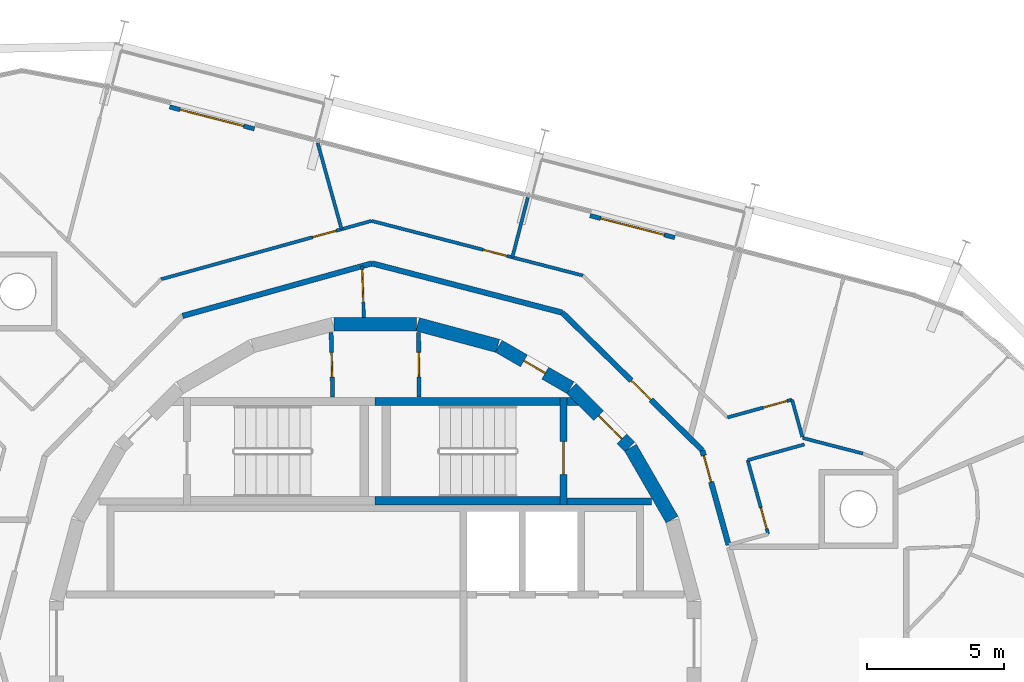
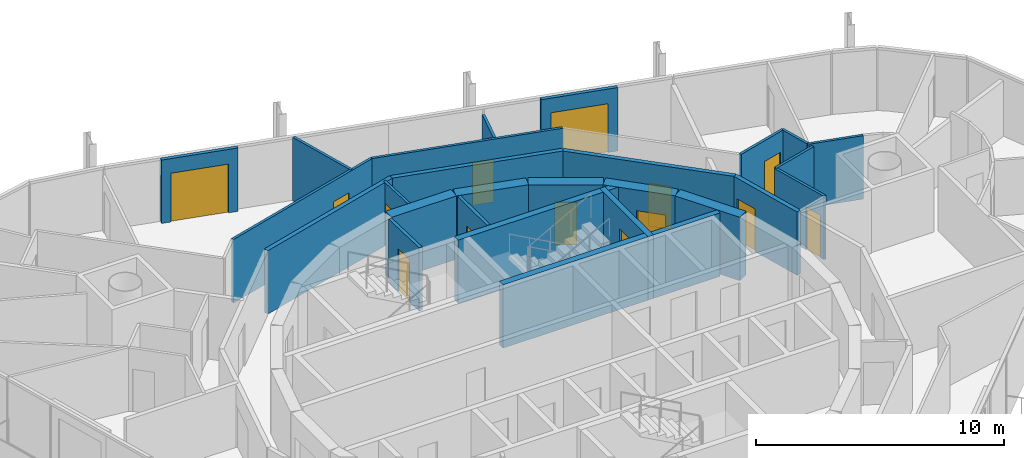
# One storey, part 13 of 15: 28 walls, 14 doors, 14 openings.
"""IFC4 building model written with IfcOpenShell, lengths in metres."""

from ifc_helpers import new_model, si_unit, direction, frame, frame_2d, origin, place, context, subcontext, project, spatial, polyline, rectangle, outline, extrude, material, layer, layer_set, type_object, element, fill, save


model = new_model("IFC4")

# Units and contexts
model_context = context("Model", 3, precision=1e-05, world=origin(), true_north=direction((0.0, 1.0)))
body_context = subcontext(model_context, "Body", "Model", "MODEL_VIEW")
ifc_project = project(units=[si_unit("LENGTHUNIT", "METRE"), si_unit("AREAUNIT", "SQUARE_METRE"), si_unit("VOLUMEUNIT", "CUBIC_METRE"), si_unit("PLANEANGLEUNIT", "RADIAN"), si_unit("MASSUNIT", "GRAM", prefix="KILO")], contexts=[model_context])

# Site, building, storey
site_placement = place(None, origin())
site = spatial("IfcSite", under=ifc_project, at=site_placement, CompositionType="ELEMENT")
building_placement = place(site_placement, origin())
building = spatial("IfcBuilding", under=site, at=building_placement, Name="Spindle Arch Residences", CompositionType="ELEMENT")
storey_placement = place(building_placement, frame((0.0, 0.0, 315.699951171875)))
storey = spatial("IfcBuildingStorey", under=building, at=storey_placement, Name="L81", CompositionType="ELEMENT", Elevation=315.699951171875)

# Wall
ifc_material_1 = material(Name="Concrete C50/60", Category="concrete")
ifc_layer_1 = layer(ifc_material_1, 0.5)
ifc_layer_set_1 = layer_set([ifc_layer_1], Name="Core outline wall 500")
wall_type_1 = type_object("IfcWallType", Name="Core outline wall 500", PredefinedType="SHEAR", material=ifc_layer_set_1)
wall_1_placement = place(storey_placement, frame((10.84521484375, 4.510498046875, 0.0), z_axis=(0.0, 0.0, 1.0), x_axis=(-0.500087131594, 0.865975092491, 0.0)))
element("IfcWall", 1, at=wall_1_placement, inside=storey, type_object=wall_type_1, Name="Core outline wall 8", PredefinedType="SHEAR", context=body_context, shape_type="SweptSolid", body=[
    extrude(rectangle(XDim=3.03271484375, YDim=0.5, at=frame_2d((1.516357421875, 0.0))), origin(), (0.0, 0.0, 1.0), 3.1201171875),
])

# Wall, opening, door
wall_2_placement = place(storey_placement, frame((9.30810546875, 7.163818359375, 0.0), z_axis=(0.0, 0.0, 1.0), x_axis=(-0.707106781187, 0.707106781187, 0.0)))
wall_2 = element("IfcWall", 2, at=wall_2_placement, inside=storey, type_object=wall_type_1, Name="Core outline wall 9", PredefinedType="SHEAR", context=body_context, shape_type="SweptSolid", body=[
    extrude(rectangle(XDim=3.032470703125, YDim=0.5, at=frame_2d((1.51611328125, 0.0))), origin(), (0.0, 0.0, 1.0), 3.1201171875),
])
opening_1_placement = place(wall_2_placement, frame((0.416259765625, 0.0, 0.0)))
opening_1 = element("IfcOpeningElement", 3, at=opening_1_placement, cuts=wall_2, Name="Opening R8B1-AD01", PredefinedType="OPENING", context=body_context, shape_type="SweptSolid", body=[
    extrude(rectangle(XDim=1.199951171875, YDim=2.10009765625, at=frame_2d((0.60009765625, 1.050048828125))), frame((0.0, 0.260009765625, 0.0), z_axis=(0.0, -1.0, 0.0), x_axis=(1.0, 0.0, 0.0)), (0.0, 0.0, 1.0), 0.52001953125),
])
ifc_material_2 = material(Name="Steel, fire-resisting door", Category="steel")
door_type_1 = type_object("IfcDoorType", Name="Stair airlock door 1200x2100", OperationType="SINGLE_SWING_LEFT", PredefinedType="DOOR", material=ifc_material_2)
door_1_placement = place(opening_1_placement, origin())
door_1 = element("IfcDoor", 4, at=door_1_placement, inside=storey, type_object=door_type_1, Name="Stair airlock door R8B1-AD01", OperationType="SINGLE_SWING_RIGHT", OverallHeight=2.10009765625, OverallWidth=1.199951171875, PredefinedType="DOOR", context=body_context, shape_type="SweptSolid", body=[
    extrude(rectangle(XDim=1.199951171875, YDim=2.10009765625, at=frame_2d((0.60009765625, 1.050048828125))), frame((0.0, 0.02490234375, 0.0), z_axis=(0.0, -1.0, 0.0), x_axis=(1.0, 0.0, 0.0)), (0.0, 0.0, 1.0), 0.050048828125),
])
fill(opening_1, door_1)

wall_3_placement = place(storey_placement, frame((7.13671875, 9.32861328125, 0.0), z_axis=(0.0, 0.0, 1.0), x_axis=(-0.865975092491, 0.500087131594, 0.0)))
wall_3 = element("IfcWall", 5, at=wall_3_placement, inside=storey, type_object=wall_type_1, Name="Core outline wall 10", PredefinedType="SHEAR", context=body_context, shape_type="SweptSolid", body=[
    extrude(rectangle(XDim=3.03271484375, YDim=0.5, at=frame_2d((1.516357421875, 0.0))), origin(), (0.0, 0.0, 1.0), 3.1201171875),
])
opening_2_placement = place(wall_3_placement, frame((1.06640625, 0.0, 0.0)))
opening_2 = element("IfcOpeningElement", 6, at=opening_2_placement, cuts=wall_3, Name="Opening R8B1-WD10", PredefinedType="OPENING", context=body_context, shape_type="SweptSolid", body=[
    extrude(rectangle(XDim=0.89990234375, YDim=2.10009765625, at=frame_2d((0.449951171875, 1.050048828125))), frame((0.0, 0.260009765625, 0.0), z_axis=(0.0, -1.0, 0.0), x_axis=(1.0, 0.0, 0.0)), (0.0, 0.0, 1.0), 0.52001953125),
])
ifc_material_3 = material(Name="Steel, fire-resisting door", Category="steel")
door_type_2 = type_object("IfcDoorType", Name="Service room door 900x2100", OperationType="SINGLE_SWING_LEFT", PredefinedType="DOOR", material=ifc_material_3)
door_2_placement = place(opening_2_placement, origin())
door_2 = element("IfcDoor", 7, at=door_2_placement, inside=storey, type_object=door_type_2, Name="Service room door R8B1-WD10", OperationType="SINGLE_SWING_RIGHT", OverallHeight=2.10009765625, OverallWidth=0.89990234375, PredefinedType="DOOR", context=body_context, shape_type="SweptSolid", body=[
    extrude(rectangle(XDim=0.89990234375, YDim=2.10009765625, at=frame_2d((0.449951171875, 1.050048828125))), frame((0.0, 0.02490234375, 0.0), z_axis=(0.0, -1.0, 0.0), x_axis=(1.0, 0.0, 0.0)), (0.0, 0.0, 1.0), 0.050048828125),
])
fill(opening_2, door_2)

# Walls
for number, where, z_axis, x_axis, name in (
    (8, (4.479248046875, 10.858154296875, 0.0), (0.0, 0.0, 1.0), (-0.965948410781, 0.258734743916, 0.0), "Core outline wall 11"),
    (9, (1.516357421875, 11.647216796875, 0.0), (0.0, 0.0, 1.0), (-1.0, 0.0, 0.0), "Core outline wall 12"),
):
    element("IfcWall", number, at=place(storey_placement, frame(where, z_axis=z_axis, x_axis=x_axis)), inside=storey, type_object=wall_type_1, Name=name, PredefinedType="SHEAR", context=body_context, shape_type="SweptSolid", body=[
        extrude(rectangle(XDim=3.03271484375, YDim=0.5, at=frame_2d((1.516357421875, 0.0))), origin(), (0.0, 0.0, 1.0), 3.1201171875),
    ])

# Wall, opening, door
ifc_material_4 = material(Name="Plasterboard on steel studs", Category="steel")
ifc_layer_2 = layer(ifc_material_4, 0.1201171875)
ifc_layer_set_2 = layer_set([ifc_layer_2], Name="Corridor division wall 120")
wall_type_2 = type_object("IfcWallType", Name="Corridor division wall 120", PredefinedType="PARTITIONING", material=ifc_layer_set_2)
wall_4_placement = place(storey_placement, frame((-0.48095703125, 13.7724609375, 0.0), z_axis=(0.0, 0.0, 1.0), x_axis=(0.034870071203, -0.999391854146, 0.0)))
wall_4 = element("IfcWall", 10, at=wall_4_placement, inside=storey, type_object=wall_type_2, Name="Corridor division wall R8B1-W001", PredefinedType="PARTITIONING", context=body_context, shape_type="SweptSolid", body=[
    extrude(rectangle(XDim=1.87646484375, YDim=0.1201171875, at=frame_2d((0.938232421875, 0.0))), origin(), (0.0, 0.0, 1.0), 3.1201171875),
])
opening_3_placement = place(wall_4_placement, frame((0.125, 0.0, 0.0)))
opening_3 = element("IfcOpeningElement", 11, at=opening_3_placement, cuts=wall_4, Name="Opening R8B1-CD01", PredefinedType="OPENING", context=body_context, shape_type="SweptSolid", body=[
    extrude(rectangle(XDim=1.199951171875, YDim=2.10009765625, at=frame_2d((0.60009765625, 1.050048828125))), frame((0.0, 0.070068359375, 0.0), z_axis=(0.0, -1.0, 0.0), x_axis=(1.0, 0.0, 0.0)), (0.0, 0.0, 1.0), 0.14013671875),
])
ifc_material_5 = material(Name="Steel, fire-resisting door", Category="steel")
door_type_3 = type_object("IfcDoorType", Name="Corridor division door 1200x2100", OperationType="NOTDEFINED", PredefinedType="DOOR", material=ifc_material_5)
door_3_placement = place(opening_3_placement, origin())
door_3 = element("IfcDoor", 12, at=door_3_placement, inside=storey, type_object=door_type_3, Name="Corridor division door R8B1-CD01", OperationType="DOUBLE_DOOR_SINGLE_SWING", OverallHeight=2.10009765625, OverallWidth=1.199951171875, PredefinedType="DOOR", context=body_context, shape_type="SweptSolid", body=[
    extrude(rectangle(XDim=1.199951171875, YDim=2.10009765625, at=frame_2d((0.60009765625, 1.050048828125))), frame((0.0, 0.02490234375, 0.0), z_axis=(0.0, -1.0, 0.0), x_axis=(1.0, 0.0, 0.0)), (0.0, 0.0, 1.0), 0.050048828125),
])
fill(opening_3, door_3)

ifc_material_6 = material(Name="Calcium silicate block, plastered")
ifc_layer_3 = layer(ifc_material_6, 0.199951171875)
ifc_layer_set_3 = layer_set([ifc_layer_3], Name="Corridor wall 200")
wall_type_3 = type_object("IfcWallType", Name="Corridor wall 200", PredefinedType="STANDARD", material=ifc_layer_set_3)
wall_5_placement = place(storey_placement, frame((12.91259765625, 3.5810546875, 0.0), z_axis=(0.0, 0.0, 1.0), x_axis=(-0.267223005422, 0.963634715737, 0.0)))
wall_5 = element("IfcWall", 13, at=wall_5_placement, inside=storey, type_object=wall_type_3, Name="Corridor wall R8B1-W006", PredefinedType="STANDARD", context=body_context, shape_type="SweptSolid", body=[
    extrude(rectangle(XDim=3.590576171875, YDim=0.199951171875, at=frame_2d((1.79541015625, 0.0))), origin(), (0.0, 0.0, 1.0), 3.1201171875),
])
opening_4_placement = place(wall_5_placement, frame((2.390380859375, 0.0, 0.0)))
opening_4 = element("IfcOpeningElement", 14, at=opening_4_placement, cuts=wall_5, Name="Opening R8B1-FD01", PredefinedType="OPENING", context=body_context, shape_type="SweptSolid", body=[
    extrude(rectangle(XDim=1.0, YDim=2.10009765625, at=frame_2d((0.5, 1.050048828125))), frame((0.0, 0.10986328125, 0.0), z_axis=(0.0, -1.0, 0.0), x_axis=(1.0, 0.0, 0.0)), (0.0, 0.0, 1.0), 0.219970703125),
])
ifc_material_7 = material(Name="Timber, fire-resisting door set", Category="wood")
door_type_4 = type_object("IfcDoorType", Name="Flat entrance door 1000x2100", OperationType="NOTDEFINED", PredefinedType="DOOR", material=ifc_material_7)
door_4_placement = place(opening_4_placement, origin())
door_4 = element("IfcDoor", 15, at=door_4_placement, inside=storey, type_object=door_type_4, Name="Flat entrance door R8B1-FD01", OperationType="SINGLE_SWING_LEFT", OverallHeight=2.10009765625, OverallWidth=1.0, PredefinedType="DOOR", context=body_context, shape_type="SweptSolid", body=[
    extrude(rectangle(XDim=1.0, YDim=2.10009765625, at=frame_2d((0.5, 1.050048828125))), frame((0.0, 0.02490234375, 0.0), z_axis=(0.0, -1.0, 0.0), x_axis=(1.0, 0.0, 0.0)), (0.0, 0.0, 1.0), 0.050048828125),
])
fill(opening_4, door_4)

wall_6_placement = place(storey_placement, frame((11.953125, 7.041015625, 0.0), z_axis=(0.0, 0.0, 1.0), x_axis=(-0.713250549143, 0.70090916255, 0.0)))
wall_6 = element("IfcWall", 16, at=wall_6_placement, inside=storey, type_object=wall_type_3, Name="Corridor wall R8B1-W007", PredefinedType="STANDARD", context=body_context, shape_type="SweptSolid", body=[
    extrude(rectangle(XDim=7.180908203125, YDim=0.199951171875, at=frame_2d((3.59033203125, 0.0))), origin(), (0.0, 0.0, 1.0), 3.1201171875),
])
opening_5_placement = place(wall_6_placement, frame((2.63720703125, 0.0, 0.0)))
opening_5 = element("IfcOpeningElement", 17, at=opening_5_placement, cuts=wall_6, Name="Opening R8B1-FD02", PredefinedType="OPENING", context=body_context, shape_type="SweptSolid", body=[
    extrude(rectangle(XDim=1.0, YDim=2.10009765625, at=frame_2d((0.5, 1.050048828125))), frame((0.0, 0.10986328125, 0.0), z_axis=(0.0, -1.0, 0.0), x_axis=(1.0, 0.0, 0.0)), (0.0, 0.0, 1.0), 0.219970703125),
])
door_5_placement = place(opening_5_placement, origin())
door_5 = element("IfcDoor", 18, at=door_5_placement, inside=storey, type_object=door_type_4, Name="Flat entrance door R8B1-FD02", OperationType="SINGLE_SWING_LEFT", OverallHeight=2.10009765625, OverallWidth=1.0, PredefinedType="DOOR", context=body_context, shape_type="SweptSolid", body=[
    extrude(rectangle(XDim=1.0, YDim=2.10009765625, at=frame_2d((0.5, 1.050048828125))), frame((0.0, 0.02490234375, 0.0), z_axis=(0.0, -1.0, 0.0), x_axis=(1.0, 0.0, 0.0)), (0.0, 0.0, 1.0), 0.050048828125),
])
fill(opening_5, door_5)

# Walls
for number, where, z_axis, x_axis, name in (
    (19, (6.831298828125, 12.07421875, 0.0), (0.0, 0.0, 1.0), (-0.968144780225, 0.250391063186, 0.0), "Corridor wall R8B1-W008"),
    (20, (-0.12109375, 13.872314453125, 0.0), (0.0, 0.0, 1.0), (-0.963625960674, -0.267254575108, 0.0), "Corridor wall R8B1-W009"),
):
    element("IfcWall", number, at=place(storey_placement, frame(where, z_axis=z_axis, x_axis=x_axis)), inside=storey, type_object=wall_type_3, Name=name, PredefinedType="STANDARD", context=body_context, shape_type="SweptSolid", body=[
        extrude(rectangle(XDim=7.18115234375, YDim=0.199951171875, at=frame_2d((3.590576171875, 0.0))), origin(), (0.0, 0.0, 1.0), 3.1201171875),
    ])

# Wall, opening, door
ifc_material_8 = material(Name="Plasterboard on steel studs", Category="steel")
ifc_layer_4 = layer(ifc_material_8, 0.1201171875)
ifc_layer_set_4 = layer_set([ifc_layer_4], Name="Flat partition 120")
wall_type_4 = type_object("IfcWallType", Name="Flat partition 120", PredefinedType="PARTITIONING", material=ifc_layer_set_4)
wall_7_placement = place(storey_placement, frame((14.358154296875, 3.98193359375, 0.0), z_axis=(0.0, 0.0, 1.0), x_axis=(-0.267275166053, 0.963620249689, 0.0)))
wall_7 = element("IfcWall", 21, at=wall_7_placement, inside=storey, type_object=wall_type_4, Name="Flat partition R8B1-W031", PredefinedType="PARTITIONING", context=body_context, shape_type="SweptSolid", body=[
    extrude(rectangle(XDim=2.800537109375, YDim=0.1201171875, at=frame_2d((1.400390625, 0.0))), origin(), (0.0, 0.0, 1.0), 3.1201171875),
])
opening_6_placement = place(wall_7_placement, frame((0.199951171875, 0.0, 0.0)))
opening_6 = element("IfcOpeningElement", 22, at=opening_6_placement, cuts=wall_7, Name="Opening R8B1-BD01", PredefinedType="OPENING", context=body_context, shape_type="SweptSolid", body=[
    extrude(rectangle(XDim=0.800048828125, YDim=2.10009765625, at=frame_2d((0.39990234375, 1.050048828125))), frame((0.0, 0.070068359375, 0.0), z_axis=(0.0, -1.0, 0.0), x_axis=(1.0, 0.0, 0.0)), (0.0, 0.0, 1.0), 0.14013671875),
])
ifc_material_9 = material(Name="Timber door set", Category="wood")
door_type_5 = type_object("IfcDoorType", Name="Bathroom door 800x2100", OperationType="NOTDEFINED", PredefinedType="DOOR", material=ifc_material_9)
door_6_placement = place(opening_6_placement, origin())
door_6 = element("IfcDoor", 23, at=door_6_placement, inside=storey, type_object=door_type_5, Name="Bathroom door R8B1-BD01", OperationType="SINGLE_SWING_LEFT", OverallHeight=2.10009765625, OverallWidth=0.800048828125, PredefinedType="DOOR", context=body_context, shape_type="SweptSolid", body=[
    extrude(rectangle(XDim=0.800048828125, YDim=2.10009765625, at=frame_2d((0.39990234375, 1.050048828125))), frame((0.0, 0.02490234375, 0.0), z_axis=(0.0, -1.0, 0.0), x_axis=(1.0, 0.0, 0.0)), (0.0, 0.0, 1.0), 0.050048828125),
])
fill(opening_6, door_6)

# Walls
wall_8_placement = place(storey_placement, frame((13.609619140625, 6.6806640625, 0.0), z_axis=(0.0, 0.0, 1.0), x_axis=(0.963626714087, 0.267251858551, 0.0)))
element("IfcWall", 24, at=wall_8_placement, inside=storey, type_object=wall_type_4, Name="Flat partition R8B1-W032", PredefinedType="PARTITIONING", context=body_context, shape_type="SweptSolid", body=[
    extrude(rectangle(XDim=2.15234375, YDim=0.1201171875, at=frame_2d((1.076171875, 0.0))), origin(), (0.0, 0.0, 1.0), 3.1201171875),
])
wall_9_placement = place(storey_placement, frame((15.607666015625, 7.530029296875, 0.0), z_axis=(0.0, 0.0, 1.0), x_axis=(-0.267172351994, 0.963648760872, 0.0)))
element("IfcWall", 25, at=wall_9_placement, inside=storey, type_object=wall_type_4, Name="Flat partition R8B1-W033", PredefinedType="PARTITIONING", context=body_context, shape_type="SweptSolid", body=[
    extrude(rectangle(XDim=1.41552734375, YDim=0.1201171875, at=frame_2d((0.707763671875, 0.0))), origin(), (0.0, 0.0, 1.0), 3.1201171875),
])

# Wall, opening, door
wall_10_placement = place(storey_placement, frame((15.2294921875, 8.89404296875, 0.0), z_axis=(0.0, 0.0, 1.0), x_axis=(-0.96363793677, -0.267211389759, 0.0)))
wall_10 = element("IfcWall", 26, at=wall_10_placement, inside=storey, type_object=wall_type_4, Name="Flat partition R8B1-W034", PredefinedType="PARTITIONING", context=body_context, shape_type="SweptSolid", body=[
    extrude(rectangle(XDim=2.44580078125, YDim=0.1201171875, at=frame_2d((1.222900390625, 0.0))), origin(), (0.0, 0.0, 1.0), 3.1201171875),
])
opening_7_placement = place(wall_10_placement, frame((0.199951171875, 0.0, 0.0)))
opening_7 = element("IfcOpeningElement", 27, at=opening_7_placement, cuts=wall_10, Name="Opening R8B1-ID01", PredefinedType="OPENING", context=body_context, shape_type="SweptSolid", body=[
    extrude(rectangle(XDim=0.89990234375, YDim=2.10009765625, at=frame_2d((0.449951171875, 1.050048828125))), frame((0.0, 0.070068359375, 0.0), z_axis=(0.0, -1.0, 0.0), x_axis=(1.0, 0.0, 0.0)), (0.0, 0.0, 1.0), 0.14013671875),
])
ifc_material_10 = material(Name="Timber door set", Category="wood")
door_type_6 = type_object("IfcDoorType", Name="Room door 900x2100", OperationType="NOTDEFINED", PredefinedType="DOOR", material=ifc_material_10)
door_7_placement = place(opening_7_placement, origin())
door_7 = element("IfcDoor", 28, at=door_7_placement, inside=storey, type_object=door_type_6, Name="Room door R8B1-ID01", OperationType="SINGLE_SWING_LEFT", OverallHeight=2.10009765625, OverallWidth=0.89990234375, PredefinedType="DOOR", context=body_context, shape_type="SweptSolid", body=[
    extrude(rectangle(XDim=0.89990234375, YDim=2.10009765625, at=frame_2d((0.449951171875, 1.050048828125))), frame((0.0, 0.02490234375, 0.0), z_axis=(0.0, -1.0, 0.0), x_axis=(1.0, 0.0, 0.0)), (0.0, 0.0, 1.0), 0.050048828125),
])
fill(opening_7, door_7)

# Wall
wall_11_placement = place(storey_placement, frame((17.8251953125, 6.922119140625, 0.0), z_axis=(0.0, 0.0, 1.0), x_axis=(-0.968151834511, 0.250363785985, 0.0)))
element("IfcWall", 29, at=wall_11_placement, inside=storey, type_object=wall_type_4, Name="Flat partition R8B1-W039", PredefinedType="PARTITIONING", context=body_context, shape_type="SweptSolid", body=[
    extrude(rectangle(XDim=2.27978515625, YDim=0.1201171875, at=frame_2d((1.139892578125, 0.0))), origin(), (0.0, 0.0, 1.0), 3.1201171875),
])

# Wall, opening, door
wall_12_placement = place(storey_placement, frame((7.595947265625, 13.42578125, 0.0), z_axis=(0.0, 0.0, 1.0), x_axis=(-0.968146656033, 0.250383810203, 0.0)))
wall_12 = element("IfcWall", 30, at=wall_12_placement, inside=storey, type_object=wall_type_4, Name="Flat partition R8B1-W041", PredefinedType="PARTITIONING", context=body_context, shape_type="SweptSolid", body=[
    extrude(rectangle(XDim=7.98486328125, YDim=0.1201171875, at=frame_2d((3.992431640625, 0.0))), origin(), (0.0, 0.0, 1.0), 3.1201171875),
])
opening_8_placement = place(wall_12_placement, frame((2.869873046875, 0.0, 0.0)))
opening_8 = element("IfcOpeningElement", 31, at=opening_8_placement, cuts=wall_12, Name="Opening R8B1-ID05", PredefinedType="OPENING", context=body_context, shape_type="SweptSolid", body=[
    extrude(rectangle(XDim=0.89990234375, YDim=2.10009765625, at=frame_2d((0.449951171875, 1.050048828125))), frame((0.0, 0.070068359375, 0.0), z_axis=(0.0, -1.0, 0.0), x_axis=(1.0, 0.0, 0.0)), (0.0, 0.0, 1.0), 0.14013671875),
])
door_8_placement = place(opening_8_placement, origin())
door_8 = element("IfcDoor", 32, at=door_8_placement, inside=storey, type_object=door_type_6, Name="Room door R8B1-ID05", OperationType="SINGLE_SWING_LEFT", OverallHeight=2.10009765625, OverallWidth=0.89990234375, PredefinedType="DOOR", context=body_context, shape_type="SweptSolid", body=[
    extrude(rectangle(XDim=0.89990234375, YDim=2.10009765625, at=frame_2d((0.449951171875, 1.050048828125))), frame((0.0, 0.02490234375, 0.0), z_axis=(0.0, -1.0, 0.0), x_axis=(1.0, 0.0, 0.0)), (0.0, 0.0, 1.0), 0.050048828125),
])
fill(opening_8, door_8)

wall_13_placement = place(storey_placement, frame((-0.134521484375, 15.425048828125, 0.0), z_axis=(0.0, 0.0, 1.0), x_axis=(-0.963633899075, -0.267225950373, 0.0)))
wall_13 = element("IfcWall", 33, at=wall_13_placement, inside=storey, type_object=wall_type_4, Name="Flat partition R8B1-W042", PredefinedType="PARTITIONING", context=body_context, shape_type="SweptSolid", body=[
    extrude(rectangle(XDim=7.98486328125, YDim=0.1201171875, at=frame_2d((3.992431640625, 0.0))), origin(), (0.0, 0.0, 1.0), 3.1201171875),
])
opening_9_placement = place(wall_13_placement, frame((1.3369140625, 0.0, 0.0)))
opening_9 = element("IfcOpeningElement", 34, at=opening_9_placement, cuts=wall_13, Name="Opening R8B1-ID06", PredefinedType="OPENING", context=body_context, shape_type="SweptSolid", body=[
    extrude(rectangle(XDim=0.89990234375, YDim=2.10009765625, at=frame_2d((0.449951171875, 1.050048828125))), frame((0.0, 0.070068359375, 0.0), z_axis=(0.0, -1.0, 0.0), x_axis=(1.0, 0.0, 0.0)), (0.0, 0.0, 1.0), 0.14013671875),
])
door_9_placement = place(opening_9_placement, origin())
door_9 = element("IfcDoor", 35, at=door_9_placement, inside=storey, type_object=door_type_6, Name="Room door R8B1-ID06", OperationType="SINGLE_SWING_RIGHT", OverallHeight=2.10009765625, OverallWidth=0.89990234375, PredefinedType="DOOR", context=body_context, shape_type="SweptSolid", body=[
    extrude(rectangle(XDim=0.89990234375, YDim=2.10009765625, at=frame_2d((0.449951171875, 1.050048828125))), frame((0.0, 0.02490234375, 0.0), z_axis=(0.0, -1.0, 0.0), x_axis=(1.0, 0.0, 0.0)), (0.0, 0.0, 1.0), 0.050048828125),
])
fill(opening_9, door_9)

# Walls
wall_14_placement = place(storey_placement, frame((-2.104248046875, 18.2734375, 0.0), z_axis=(0.0, 0.0, 1.0), x_axis=(0.267251230405, -0.963626888296, 0.0)))
element("IfcWall", 36, at=wall_14_placement, inside=storey, type_object=wall_type_4, Name="Flat partition R8B1-W048", PredefinedType="PARTITIONING", context=body_context, shape_type="SweptSolid", body=[
    extrude(rectangle(XDim=3.271240234375, YDim=0.1201171875, at=frame_2d((1.6357421875, 0.0))), origin(), (0.0, 0.0, 1.0), 3.1201171875),
])
ifc_material_11 = material(Name="Plasterboard on steel studs", Category="steel")
ifc_layer_5 = layer(ifc_material_11, 0.1201171875)
ifc_layer_set_5 = layer_set([ifc_layer_5], Name="Flat partition 120 under beam 2730")
wall_type_5 = type_object("IfcWallType", Name="Flat partition 120 under beam 2730", PredefinedType="PARTITIONING", material=ifc_layer_set_5)
wall_15_placement = place(storey_placement, frame((5.578125, 16.286865234375, 0.0), z_axis=(0.0, 0.0, 1.0), x_axis=(-0.250415921279, -0.968138350841, 0.0)))
element("IfcWall", 37, at=wall_15_placement, inside=storey, type_object=wall_type_5, Name="Flat partition R8B1-W047", PredefinedType="PARTITIONING", context=body_context, shape_type="SweptSolid", body=[
    extrude(rectangle(XDim=2.264892578125, YDim=0.1201171875, at=frame_2d((1.13232421875, 0.0))), origin(), (0.0, 0.0, 1.0), 2.72998046875),
])

# Wall, opening, door
ifc_material_12 = material(Name="Non-combustible mineral wool insulated aluminium faced external wall (K0)", Category="aluminium")
ifc_layer_6 = layer(ifc_material_12, 0.159912109375)
ifc_layer_set_6 = layer_set([ifc_layer_6], Name="Insulated external wall panel 160")
wall_type_6 = type_object("IfcWallType", Name="Insulated external wall panel 160", PredefinedType="STANDARD", material=ifc_layer_set_6)
wall_16_placement = place(storey_placement, frame((10.9482421875, 14.815185546875, 0.0), z_axis=(0.0, 0.0, 1.0), x_axis=(-0.968144998439, 0.250390219454, 0.0)))
wall_16 = element("IfcWall", 38, at=wall_16_placement, inside=storey, type_object=wall_type_6, Name="External wall L81 bay 6", PredefinedType="STANDARD", context=body_context, shape_type="SweptSolid", body=[
    extrude(rectangle(XDim=3.2001953125, YDim=0.159912109375, at=frame_2d((1.60009765625, 0.0))), origin(), (0.0, 0.0, 1.0), 3.1201171875),
])
opening_10_placement = place(wall_16_placement, frame((0.39990234375, 0.0, 0.0)))
opening_10 = element("IfcOpeningElement", 39, at=opening_10_placement, cuts=wall_16, Name="Opening BD06", PredefinedType="OPENING", context=body_context, shape_type="SweptSolid", body=[
    extrude(rectangle(XDim=2.39990234375, YDim=2.39990234375, at=frame_2d((1.199951171875, 1.199951171875))), frame((0.0, 0.08984375, 0.0), z_axis=(0.0, -1.0, 0.0), x_axis=(1.0, 0.0, 0.0)), (0.0, 0.0, 1.0), 0.179931640625),
])
ifc_material_13 = material(Name="Bronze aluminium frame, tinted double glazing", Category="aluminium")
door_type_7 = type_object("IfcDoorType", Name="Sliding glazed balcony door 2400x2400", OperationType="DOUBLE_DOOR_SLIDING", PredefinedType="DOOR", material=ifc_material_13)
door_10_placement = place(opening_10_placement, origin())
door_10 = element("IfcDoor", 40, at=door_10_placement, inside=storey, type_object=door_type_7, Name="Balcony door BD06", OperationType="DOUBLE_DOOR_SLIDING", OverallHeight=2.39990234375, OverallWidth=2.39990234375, PredefinedType="DOOR", context=body_context, shape_type="SweptSolid", body=[
    extrude(rectangle(XDim=2.39990234375, YDim=2.39990234375, at=frame_2d((1.199951171875, 1.199951171875))), frame((0.0, 0.02490234375, 0.0), z_axis=(0.0, -1.0, 0.0), x_axis=(1.0, 0.0, 0.0)), (0.0, 0.0, 1.0), 0.050048828125),
])
fill(opening_10, door_10)

wall_17_placement = place(storey_placement, frame((-4.41650390625, 18.788818359375, 0.0), z_axis=(0.0, 0.0, 1.0), x_axis=(-0.968140214764, 0.250408715017, 0.0)))
wall_17 = element("IfcWall", 41, at=wall_17_placement, inside=storey, type_object=wall_type_6, Name="External wall L81 bay 8", PredefinedType="STANDARD", context=body_context, shape_type="SweptSolid", body=[
    extrude(rectangle(XDim=3.199951171875, YDim=0.159912109375, at=frame_2d((1.60009765625, 0.0))), origin(), (0.0, 0.0, 1.0), 3.1201171875),
])
opening_11_placement = place(wall_17_placement, frame((0.39990234375, 0.0, 0.0)))
opening_11 = element("IfcOpeningElement", 42, at=opening_11_placement, cuts=wall_17, Name="Opening BD08", PredefinedType="OPENING", context=body_context, shape_type="SweptSolid", body=[
    extrude(rectangle(XDim=2.39990234375, YDim=2.39990234375, at=frame_2d((1.199951171875, 1.199951171875))), frame((0.0, 0.08984375, 0.0), z_axis=(0.0, -1.0, 0.0), x_axis=(1.0, 0.0, 0.0)), (0.0, 0.0, 1.0), 0.179931640625),
])
door_11_placement = place(opening_11_placement, origin())
door_11 = element("IfcDoor", 43, at=door_11_placement, inside=storey, type_object=door_type_7, Name="Balcony door BD08", OperationType="DOUBLE_DOOR_SLIDING", OverallHeight=2.39990234375, OverallWidth=2.39990234375, PredefinedType="DOOR", context=body_context, shape_type="SweptSolid", body=[
    extrude(rectangle(XDim=2.39990234375, YDim=2.39990234375, at=frame_2d((1.199951171875, 1.199951171875))), frame((0.0, 0.02490234375, 0.0), z_axis=(0.0, -1.0, 0.0), x_axis=(1.0, 0.0, 0.0)), (0.0, 0.0, 1.0), 0.050048828125),
])
fill(opening_11, door_11)

ifc_material_14 = material(Name="Concrete C25/30", Category="concrete")
ifc_layer_7 = layer(ifc_material_14, 0.14990234375)
ifc_layer_set_7 = layer_set([ifc_layer_7], Name="Service room partition 150")
wall_type_7 = type_object("IfcWallType", Name="Service room partition 150", PredefinedType="PARTITIONING", material=ifc_layer_set_7)
wall_18_placement = place(storey_placement, frame((1.585693359375, 11.3544921875, 0.0), z_axis=(0.0, 0.0, 1.0), x_axis=(0.007227482881, -0.999973881405, 0.0)))
wall_18 = element("IfcWall", 44, at=wall_18_placement, inside=storey, type_object=wall_type_7, Name="Core service room partition", PredefinedType="PARTITIONING", context=body_context, shape_type="SweptSolid", body=[
    extrude(rectangle(XDim=2.364501953125, YDim=0.14990234375, at=frame_2d((1.18212890625, 0.0))), origin(), (0.0, 0.0, 1.0), 3.1201171875),
])
opening_12_placement = place(wall_18_placement, frame((0.732177734375, 0.0, 0.0)))
opening_12 = element("IfcOpeningElement", 45, at=opening_12_placement, cuts=wall_18, Name="Opening R8B1-WD06", PredefinedType="OPENING", context=body_context, shape_type="SweptSolid", body=[
    extrude(rectangle(XDim=0.89990234375, YDim=2.10009765625, at=frame_2d((0.449951171875, 1.050048828125))), frame((0.0, 0.0849609375, 0.0), z_axis=(0.0, -1.0, 0.0), x_axis=(1.0, 0.0, 0.0)), (0.0, 0.0, 1.0), 0.169921875),
])
door_12_placement = place(opening_12_placement, origin())
door_12 = element("IfcDoor", 46, at=door_12_placement, inside=storey, type_object=door_type_2, Name="Service room door R8B1-WD06", OperationType="SINGLE_SWING_RIGHT", OverallHeight=2.10009765625, OverallWidth=0.89990234375, PredefinedType="DOOR", context=body_context, shape_type="SweptSolid", body=[
    extrude(rectangle(XDim=0.89990234375, YDim=2.10009765625, at=frame_2d((0.449951171875, 1.050048828125))), frame((0.0, 0.02490234375, 0.0), z_axis=(0.0, -1.0, 0.0), x_axis=(1.0, 0.0, 0.0)), (0.0, 0.0, 1.0), 0.050048828125),
])
fill(opening_12, door_12)

wall_19_placement = place(storey_placement, frame((-1.555419921875, 8.989990234375, 0.0), z_axis=(0.0, 0.0, 1.0), x_axis=(-0.024125549686, 0.999708936567, 0.0)))
wall_19 = element("IfcWall", 47, at=wall_19_placement, inside=storey, type_object=wall_type_7, Name="Core service room partition", PredefinedType="PARTITIONING", context=body_context, shape_type="SweptSolid", body=[
    extrude(rectangle(XDim=2.35791015625, YDim=0.14990234375, at=frame_2d((1.178955078125, 0.0))), origin(), (0.0, 0.0, 1.0), 3.1201171875),
])
opening_13_placement = place(wall_19_placement, frame((0.72900390625, 0.0, 0.0)))
opening_13 = element("IfcOpeningElement", 48, at=opening_13_placement, cuts=wall_19, Name="Opening R8B1-WD07", PredefinedType="OPENING", context=body_context, shape_type="SweptSolid", body=[
    extrude(rectangle(XDim=0.89990234375, YDim=2.10009765625, at=frame_2d((0.449951171875, 1.050048828125))), frame((0.0, 0.0849609375, 0.0), z_axis=(0.0, -1.0, 0.0), x_axis=(1.0, 0.0, 0.0)), (0.0, 0.0, 1.0), 0.169921875),
])
door_13_placement = place(opening_13_placement, origin())
door_13 = element("IfcDoor", 49, at=door_13_placement, inside=storey, type_object=door_type_2, Name="Service room door R8B1-WD07", OperationType="SINGLE_SWING_LEFT", OverallHeight=2.10009765625, OverallWidth=0.89990234375, PredefinedType="DOOR", context=body_context, shape_type="SweptSolid", body=[
    extrude(rectangle(XDim=0.89990234375, YDim=2.10009765625, at=frame_2d((0.449951171875, 1.050048828125))), frame((0.0, 0.02490234375, 0.0), z_axis=(0.0, -1.0, 0.0), x_axis=(1.0, 0.0, 0.0)), (0.0, 0.0, 1.0), 0.050048828125),
])
fill(opening_13, door_13)

# Walls
ifc_material_15 = material(Name="Concrete C40/50", Category="concrete")
ifc_layer_8 = layer(ifc_material_15, 0.25)
ifc_layer_set_8 = layer_set([ifc_layer_8], Name="Stair airlock wall 250")
wall_type_8 = type_object("IfcWallType", Name="Stair airlock wall 250", PredefinedType="SHEAR", material=ifc_layer_set_8)
wall_20_placement = place(storey_placement, frame((7.0, 5.175048828125, 0.0), z_axis=(0.0, 0.0, 1.0), x_axis=(1.0, 0.0, 0.0)))
element("IfcWall", 50, at=wall_20_placement, inside=storey, type_object=wall_type_8, Name="Stair ST-1 airlock wall S", PredefinedType="SHEAR", context=body_context, shape_type="SweptSolid", body=[
    extrude(rectangle(XDim=3.10009765625, YDim=0.25, at=frame_2d((1.550048828125, 0.0))), origin(), (0.0, 0.0, 1.0), 3.1201171875),
])
ifc_material_16 = material(Name="Concrete C40/50", Category="concrete")
wall_type_9 = type_object("IfcWallType", Name="Stair airlock wall profile", PredefinedType="SHEAR", material=ifc_material_16)
wall_21_placement = place(storey_placement, origin())
element("IfcWall", 51, at=wall_21_placement, inside=storey, type_object=wall_type_9, Name="Stair ST-1 airlock wall N", PredefinedType="SHEAR", context=body_context, shape_type="SweptSolid", body=[
    extrude(outline(polyline([(7.4482421875, 8.669921875), (7.0, 8.669921875), (7.0, 8.969970703125), (7.148193359375, 8.969970703125), (7.4482421875, 8.669921875)])), origin(), (0.0, 0.0, 1.0), 3.1201171875),
])

# Wall, opening, door
ifc_material_17 = material(Name="Concrete C50/60", Category="concrete")
ifc_layer_9 = layer(ifc_material_17, 0.25)
ifc_layer_set_9 = layer_set([ifc_layer_9], Name="Stair enclosure wall 250")
wall_type_10 = type_object("IfcWallType", Name="Stair enclosure wall 250", PredefinedType="SHEAR", material=ifc_layer_set_9)
wall_22_placement = place(storey_placement, frame((6.875, 5.050048828125, 0.0), z_axis=(0.0, 0.0, 1.0), x_axis=(0.0, 1.0, 0.0)))
wall_22 = element("IfcWall", 52, at=wall_22_placement, inside=storey, type_object=wall_type_10, Name="Stair ST-1 door wall", PredefinedType="SHEAR", context=body_context, shape_type="SweptSolid", body=[
    extrude(rectangle(XDim=3.919921875, YDim=0.25, at=frame_2d((1.9599609375, 0.0))), origin(), (0.0, 0.0, 1.0), 3.1201171875),
])
opening_14_placement = place(wall_22_placement, frame((1.110107421875, 0.0, 0.0)))
opening_14 = element("IfcOpeningElement", 53, at=opening_14_placement, cuts=wall_22, Name="Opening R8B1-SD01", PredefinedType="OPENING", context=body_context, shape_type="SweptSolid", body=[
    extrude(rectangle(XDim=1.199951171875, YDim=2.10009765625, at=frame_2d((0.60009765625, 1.050048828125))), frame((0.0, 0.135009765625, 0.0), z_axis=(0.0, -1.0, 0.0), x_axis=(1.0, 0.0, 0.0)), (0.0, 0.0, 1.0), 0.27001953125),
])
ifc_material_18 = material(Name="Steel, fire-resisting door", Category="steel")
door_type_8 = type_object("IfcDoorType", Name="Stair door 1200x2100", OperationType="SINGLE_SWING_RIGHT", PredefinedType="DOOR", material=ifc_material_18)
door_14_placement = place(opening_14_placement, origin())
door_14 = element("IfcDoor", 54, at=door_14_placement, inside=storey, type_object=door_type_8, Name="Stair door R8B1-SD01", OperationType="SINGLE_SWING_LEFT", OverallHeight=2.10009765625, OverallWidth=1.199951171875, PredefinedType="DOOR", context=body_context, shape_type="SweptSolid", body=[
    extrude(rectangle(XDim=1.199951171875, YDim=2.10009765625, at=frame_2d((0.60009765625, 1.050048828125))), frame((0.0, 0.02490234375, 0.0), z_axis=(0.0, -1.0, 0.0), x_axis=(1.0, 0.0, 0.0)), (0.0, 0.0, 1.0), 0.050048828125),
])
fill(opening_14, door_14)

# Walls
ifc_material_19 = material(Name="Concrete C50/60", Category="concrete")
ifc_layer_10 = layer(ifc_material_19, 0.300048828125)
ifc_layer_set_10 = layer_set([ifc_layer_10], Name="Stair enclosure wall 300")
wall_type_11 = type_object("IfcWallType", Name="Stair enclosure wall 300", PredefinedType="SHEAR", material=ifc_layer_set_10)
for number, where, z_axis, x_axis, name in (
    (55, (0.0, 5.199951171875, 0.0), (0.0, 0.0, 1.0), (1.0, 0.0, 0.0), "Stair ST-1 enclosure wall S"),
    (56, (0.0, 8.820068359375, 0.0), (0.0, 0.0, 1.0), (1.0, 0.0, 0.0), "Stair ST-1 enclosure wall N"),
):
    element("IfcWall", number, at=place(storey_placement, frame(where, z_axis=z_axis, x_axis=x_axis)), inside=storey, type_object=wall_type_11, Name=name, PredefinedType="SHEAR", context=body_context, shape_type="SweptSolid", body=[
        extrude(rectangle(XDim=6.75, YDim=0.300048828125, at=frame_2d((3.375, 0.0))), origin(), (0.0, 0.0, 1.0), 3.1201171875),
    ])

save(model, "model.ifc")
